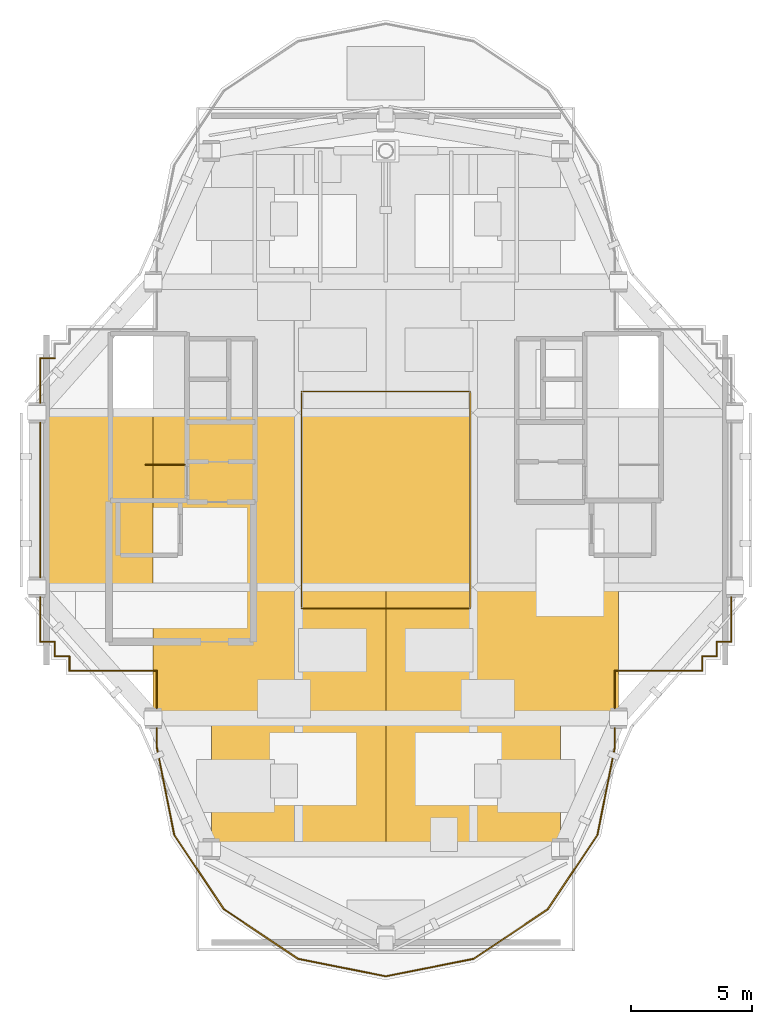
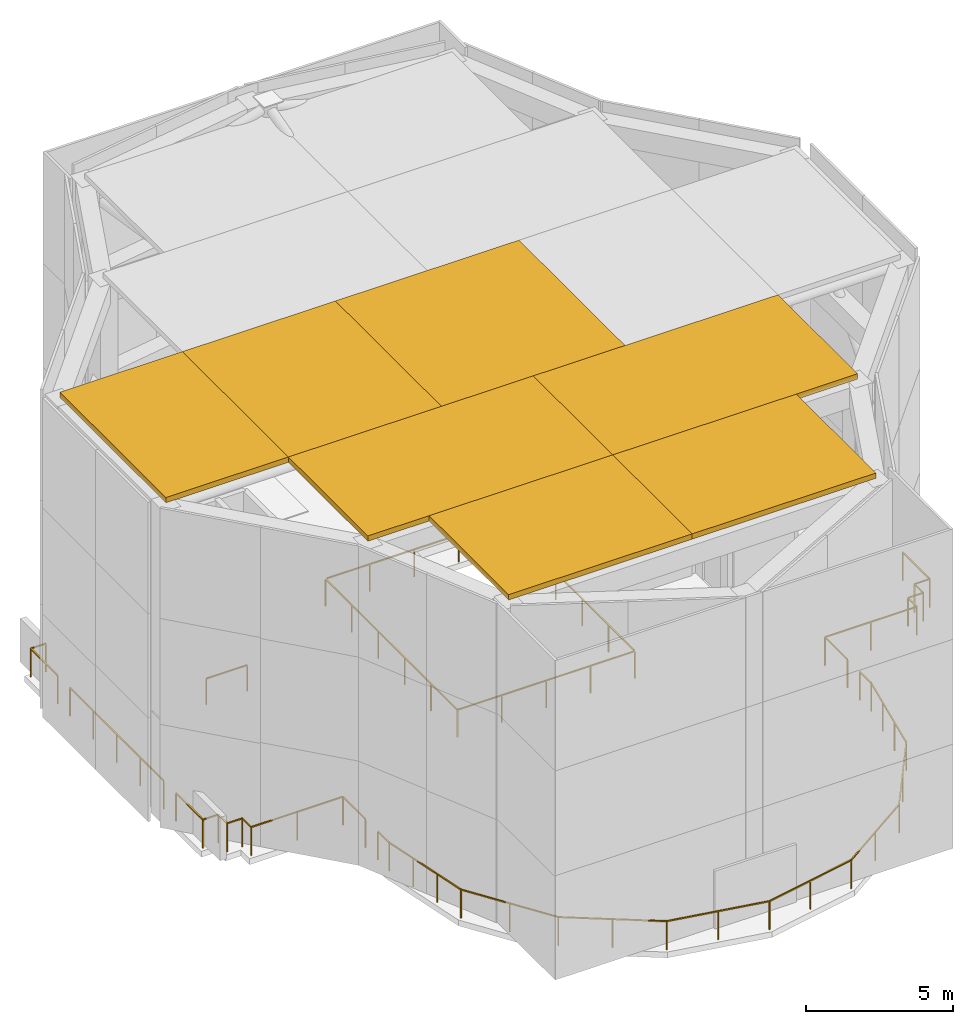
# One storey, part 6 of 8: 29 railings, 7 shading devices.
"""IFC4 building model written with IfcOpenShell, lengths in metres."""

from ifc_helpers import new_model, si_unit, direction, frame, origin, origin_2d, place, context, subcontext, project, spatial, polyline, rectangle, outline, extrude, material, layer, layer_set, type_object, element, save


model = new_model("IFC4")

# Units and contexts
model_context = context("Model", 3, precision=1e-05, world=origin(), true_north=direction((0.0, 1.0)))
body_context = subcontext(model_context, "Body", "Model", "MODEL_VIEW")
ifc_project = project(units=[si_unit("LENGTHUNIT", "METRE"), si_unit("AREAUNIT", "SQUARE_METRE"), si_unit("VOLUMEUNIT", "CUBIC_METRE"), si_unit("PLANEANGLEUNIT", "RADIAN"), si_unit("MASSUNIT", "GRAM", prefix="KILO")], contexts=[model_context])

# Site, building, storey
site_placement = place(None, origin())
site = spatial("IfcSite", under=ifc_project, at=site_placement, CompositionType="ELEMENT")
building_placement = place(site_placement, origin())
building = spatial("IfcBuilding", under=site, at=building_placement, Name="Keilestroom Media Tower", CompositionType="ELEMENT")
storey_placement = place(building_placement, frame((0.0, 0.0, 271.60009765625)))
storey = spatial("IfcBuildingStorey", under=building, at=storey_placement, Name="Roof", CompositionType="ELEMENT", Elevation=271.60009765625)

# Railing
ifc_material_1 = material(Name="Laminated Safety Glass & Bronze Steel", Category="steel")
railing_type_1 = type_object("IfcRailingType", Name="Atrium-Void-Guard-Balustrade-1150", PredefinedType="BALUSTRADE", material=ifc_material_1)
railing_1_placement = place(storey_placement, frame((-3.47998046875, -4.47998046875, 0.0)))
element("IfcRailing", 1, at=railing_1_placement, inside=storey, type_object=railing_type_1, Name="Roof Central Atrium Void Balustrade", PredefinedType="BALUSTRADE", context=body_context, shape_type="SweptSolid", body=[
    extrude(rectangle(XDim=0.048095703125, YDim=0.048095703125, at=origin_2d()), frame((0.0, 0.0, 1.1259765625), z_axis=(1.0, 0.0, 0.0), x_axis=(0.0, 1.0, 0.0)), (0.0, 0.0, 1.0), 6.911865234375),
    extrude(rectangle(XDim=0.048095703125, YDim=0.048095703125, at=origin_2d()), frame((6.9599609375, 0.048095703125, 1.1259765625), z_axis=(0.0, 1.0, 0.0), x_axis=(-1.0, 0.0, 0.0)), (0.0, 0.0, 1.0), 8.86376953125),
    extrude(rectangle(XDim=0.048095703125, YDim=0.048095703125, at=origin_2d()), frame((6.911865234375, 8.9599609375, 1.1259765625), z_axis=(-1.0, 0.0, 0.0), x_axis=(0.0, -1.0, 0.0)), (0.0, 0.0, 1.0), 6.86376953125),
    extrude(rectangle(XDim=0.048095703125, YDim=0.048095703125, at=origin_2d()), frame((0.0, 8.911865234375, 1.1259765625), z_axis=(0.0, -1.0, 0.0), x_axis=(1.0, 0.0, 0.0)), (0.0, 0.0, 1.0), 8.86376953125),
    extrude(rectangle(XDim=0.0419921875, YDim=0.0419921875, at=origin_2d()), origin(), (0.0, 0.0, 1.0), 1.09375),
    extrude(rectangle(XDim=0.0419921875, YDim=0.0419921875, at=origin_2d()), frame((1.739990234375, 0.0, 0.0)), (0.0, 0.0, 1.0), 1.09375),
    extrude(rectangle(XDim=0.0419921875, YDim=0.0419921875, at=origin_2d()), frame((3.47998046875, 0.0, 0.0)), (0.0, 0.0, 1.0), 1.09375),
    extrude(rectangle(XDim=0.0419921875, YDim=0.0419921875, at=origin_2d()), frame((5.219970703125, 0.0, 0.0)), (0.0, 0.0, 1.0), 1.09375),
    extrude(rectangle(XDim=0.0419921875, YDim=0.0419921875, at=origin_2d()), frame((6.9599609375, 0.0, 0.0)), (0.0, 0.0, 1.0), 1.09375),
    extrude(rectangle(XDim=0.0419921875, YDim=0.0419921875, at=origin_2d()), frame((6.9599609375, 1.7919921875, 0.0)), (0.0, 0.0, 1.0), 1.09375),
    extrude(rectangle(XDim=0.0419921875, YDim=0.0419921875, at=origin_2d()), frame((6.9599609375, 3.583984375, 0.0)), (0.0, 0.0, 1.0), 1.09375),
    extrude(rectangle(XDim=0.0419921875, YDim=0.0419921875, at=origin_2d()), frame((6.9599609375, 5.3759765625, 0.0)), (0.0, 0.0, 1.0), 1.09375),
    extrude(rectangle(XDim=0.0419921875, YDim=0.0419921875, at=origin_2d()), frame((6.9599609375, 7.16796875, 0.0)), (0.0, 0.0, 1.0), 1.09375),
    extrude(rectangle(XDim=0.0419921875, YDim=0.0419921875, at=origin_2d()), frame((6.9599609375, 8.9599609375, 0.0)), (0.0, 0.0, 1.0), 1.09375),
    extrude(rectangle(XDim=0.0419921875, YDim=0.0419921875, at=origin_2d()), frame((5.219970703125, 8.9599609375, 0.0)), (0.0, 0.0, 1.0), 1.09375),
    extrude(rectangle(XDim=0.0419921875, YDim=0.0419921875, at=origin_2d()), frame((3.47998046875, 8.9599609375, 0.0)), (0.0, 0.0, 1.0), 1.09375),
    extrude(rectangle(XDim=0.0419921875, YDim=0.0419921875, at=origin_2d()), frame((1.739990234375, 8.9599609375, 0.0)), (0.0, 0.0, 1.0), 1.09375),
    extrude(rectangle(XDim=0.0419921875, YDim=0.0419921875, at=origin_2d()), frame((0.0, 8.9599609375, 0.0)), (0.0, 0.0, 1.0), 1.09375),
    extrude(rectangle(XDim=0.0419921875, YDim=0.0419921875, at=origin_2d()), frame((0.0, 7.16796875, 0.0)), (0.0, 0.0, 1.0), 1.09375),
    extrude(rectangle(XDim=0.0419921875, YDim=0.0419921875, at=origin_2d()), frame((0.0, 5.3759765625, 0.0)), (0.0, 0.0, 1.0), 1.09375),
    extrude(rectangle(XDim=0.0419921875, YDim=0.0419921875, at=origin_2d()), frame((0.0, 3.583984375, 0.0)), (0.0, 0.0, 1.0), 1.09375),
    extrude(rectangle(XDim=0.0419921875, YDim=0.0419921875, at=origin_2d()), frame((0.0, 1.7919921875, 0.0)), (0.0, 0.0, 1.0), 1.09375),
])

# Shading devices
ifc_material_2 = material(Name="Bronze Anodised Aluminium", Category="aluminium")
ifc_layer = layer(ifc_material_2, 0.219970703125)
ifc_layer_set = layer_set([ifc_layer], Name="Bronze Anodised Aluminium")
shading_device_type = type_object("IfcShadingDeviceType", Name="Crown-Acoustic-Louvre-Cap-SHD-3", PredefinedType="USERDEFINED", material=ifc_layer_set)
shading_device_1_placement = place(storey_placement, frame((0.0, 0.0, 13.0)))
element("IfcShadingDevice", 2, at=shading_device_1_placement, inside=storey, type_object=shading_device_type, Name="Crown Acoustic Louvre Cap Grille CAP-SW", ObjectType="LOUVER", PredefinedType="USERDEFINED", context=body_context, shape_type="SweptSolid", body=[
    extrude(outline(polyline([(-7.199951171875, -14.39990234375), (0.0, -14.39990234375), (0.0, -9.0), (-7.199951171875, -9.0), (-7.199951171875, -14.39990234375)])), origin(), (0.0, 0.0, 1.0), 0.219970703125),
])
shading_device_2_placement = place(storey_placement, frame((0.0, 0.0, 13.0)))
element("IfcShadingDevice", 3, at=shading_device_2_placement, inside=storey, type_object=shading_device_type, Name="Crown Acoustic Louvre Cap Grille CAP-SE", ObjectType="LOUVER", PredefinedType="USERDEFINED", context=body_context, shape_type="SweptSolid", body=[
    extrude(outline(polyline([(0.0, -14.39990234375), (7.199951171875, -14.39990234375), (7.199951171875, -9.0), (0.0, -9.0), (0.0, -14.39990234375)])), origin(), (0.0, 0.0, 1.0), 0.219970703125),
])
shading_device_3_placement = place(storey_placement, frame((0.0, 0.0, 13.0)))
element("IfcShadingDevice", 4, at=shading_device_3_placement, inside=storey, type_object=shading_device_type, Name="Crown Acoustic Louvre Cap Grille CAP-W", ObjectType="LOUVER", PredefinedType="USERDEFINED", context=body_context, shape_type="SweptSolid", body=[
    extrude(outline(polyline([(-14.39990234375, -3.60009765625), (-9.60009765625, -3.60009765625), (-9.60009765625, 3.60009765625), (-14.39990234375, 3.60009765625), (-14.39990234375, -3.60009765625)])), origin(), (0.0, 0.0, 1.0), 0.219970703125),
])
shading_device_4_placement = place(storey_placement, frame((0.0, 0.0, 13.0)))
element("IfcShadingDevice", 5, at=shading_device_4_placement, inside=storey, type_object=shading_device_type, Name="Crown Acoustic Louvre Cap Grille WELL-SW", ObjectType="LOUVER", PredefinedType="USERDEFINED", context=body_context, shape_type="SweptSolid", body=[
    extrude(outline(polyline([(-9.60009765625, -9.0), (0.0, -9.0), (0.0, -3.60009765625), (-9.60009765625, -3.60009765625), (-9.60009765625, -9.0)])), origin(), (0.0, 0.0, 1.0), 0.219970703125),
])
shading_device_5_placement = place(storey_placement, frame((0.0, 0.0, 13.0)))
element("IfcShadingDevice", 6, at=shading_device_5_placement, inside=storey, type_object=shading_device_type, Name="Crown Acoustic Louvre Cap Grille WELL-SE", ObjectType="LOUVER", PredefinedType="USERDEFINED", context=body_context, shape_type="SweptSolid", body=[
    extrude(outline(polyline([(0.0, -9.0), (9.60009765625, -9.0), (9.60009765625, -3.60009765625), (0.0, -3.60009765625), (0.0, -9.0)])), origin(), (0.0, 0.0, 1.0), 0.219970703125),
])
shading_device_6_placement = place(storey_placement, frame((0.0, 0.0, 13.0)))
element("IfcShadingDevice", 7, at=shading_device_6_placement, inside=storey, type_object=shading_device_type, Name="Crown Acoustic Louvre Cap Grille WELL-CW", ObjectType="LOUVER", PredefinedType="USERDEFINED", context=body_context, shape_type="SweptSolid", body=[
    extrude(outline(polyline([(-9.60009765625, -3.60009765625), (-3.60009765625, -3.60009765625), (-3.60009765625, 3.60009765625), (-9.60009765625, 3.60009765625), (-9.60009765625, -3.60009765625)])), origin(), (0.0, 0.0, 1.0), 0.219970703125),
])
shading_device_7_placement = place(storey_placement, frame((0.0, 0.0, 13.0)))
element("IfcShadingDevice", 8, at=shading_device_7_placement, inside=storey, type_object=shading_device_type, Name="Crown Acoustic Louvre Cap Grille WELL-CC", ObjectType="LOUVER", PredefinedType="USERDEFINED", context=body_context, shape_type="SweptSolid", body=[
    extrude(outline(polyline([(-3.60009765625, -3.60009765625), (3.60009765625, -3.60009765625), (3.60009765625, 3.60009765625), (-3.60009765625, 3.60009765625), (-3.60009765625, -3.60009765625)])), origin(), (0.0, 0.0, 1.0), 0.219970703125),
])

# Railings
ifc_material_3 = material(Name="Painted Steel Balustrade", Category="steel")
railing_type_2 = type_object("IfcRailingType", Name="Stair-Well-And-Landing-Guard-1100", PredefinedType="GUARDRAIL", material=ifc_material_3)
railing_2_placement = place(storey_placement, frame((-8.300048828125, 1.449951171875, 0.0)))
element("IfcRailing", 9, at=railing_2_placement, inside=storey, type_object=railing_type_2, Name="Roof ST-1 top well guard 1", PredefinedType="GUARDRAIL", context=body_context, shape_type="SweptSolid", body=[
    extrude(rectangle(XDim=0.048095703125, YDim=0.048095703125, at=origin_2d()), frame((0.0, 0.0, 1.076171875), z_axis=(-1.0, 0.0, 0.0), x_axis=(0.0, -1.0, 0.0)), (0.0, 0.0, 1.0), 1.599853515625),
    extrude(rectangle(XDim=0.0419921875, YDim=0.0419921875, at=origin_2d()), origin(), (0.0, 0.0, 1.0), 1.0439453125),
    extrude(rectangle(XDim=0.0419921875, YDim=0.0419921875, at=origin_2d()), frame((-1.599853515625, 0.0, 0.0)), (0.0, 0.0, 1.0), 1.0439453125),
])
ifc_material_4 = material(Name="Laminated Safety Glass & Bronze Aluminium", Category="aluminium")
railing_type_3 = type_object("IfcRailingType", Name="Terrace-And-Atrium-Guard-Balustrade-GD-SKY", PredefinedType="BALUSTRADE", material=ifc_material_4)
railing_3_placement = place(storey_placement, frame((14.25, -5.85009765625, 0.0)))
element("IfcRailing", 10, at=railing_3_placement, inside=storey, type_object=railing_type_3, Name="Roof Perimeter Safety Balustrade 01", PredefinedType="BALUSTRADE", context=body_context, shape_type="SweptSolid", body=[
    extrude(rectangle(XDim=0.048095703125, YDim=0.048095703125, at=origin_2d()), frame((0.0, 0.0, 1.17578125), z_axis=(-1.0, 0.0, 0.0), x_axis=(0.0, -1.0, 0.0)), (0.0, 0.0, 1.0), 0.60009765625),
    extrude(rectangle(XDim=0.0419921875, YDim=0.0419921875, at=origin_2d()), origin(), (0.0, 0.0, 1.0), 1.143798828125),
    extrude(rectangle(XDim=0.0419921875, YDim=0.0419921875, at=origin_2d()), frame((-0.60009765625, 0.0, 0.0)), (0.0, 0.0, 1.0), 1.143798828125),
])
railing_4_placement = place(storey_placement, frame((13.64990234375, -5.85009765625, 0.0)))
element("IfcRailing", 11, at=railing_4_placement, inside=storey, type_object=railing_type_3, Name="Roof Perimeter Safety Balustrade 02", PredefinedType="BALUSTRADE", context=body_context, shape_type="SweptSolid", body=[
    extrude(rectangle(XDim=0.048095703125, YDim=0.048095703125, at=origin_2d()), frame((0.0, 0.0, 1.17578125), z_axis=(0.0, -1.0, 0.0), x_axis=(1.0, 0.0, 0.0)), (0.0, 0.0, 1.0), 0.599853515625),
    extrude(rectangle(XDim=0.0419921875, YDim=0.0419921875, at=origin_2d()), origin(), (0.0, 0.0, 1.0), 1.143798828125),
    extrude(rectangle(XDim=0.0419921875, YDim=0.0419921875, at=origin_2d()), frame((0.0, -0.599853515625, 0.0)), (0.0, 0.0, 1.0), 1.143798828125),
])
railing_5_placement = place(storey_placement, frame((13.64990234375, -6.449951171875, 0.0)))
element("IfcRailing", 12, at=railing_5_placement, inside=storey, type_object=railing_type_3, Name="Roof Perimeter Safety Balustrade 03", PredefinedType="BALUSTRADE", context=body_context, shape_type="SweptSolid", body=[
    extrude(rectangle(XDim=0.048095703125, YDim=0.048095703125, at=origin_2d()), frame((0.0, 0.0, 1.17578125), z_axis=(-1.0, 0.0, 0.0), x_axis=(0.0, -1.0, 0.0)), (0.0, 0.0, 1.0), 0.599853515625),
    extrude(rectangle(XDim=0.0419921875, YDim=0.0419921875, at=origin_2d()), origin(), (0.0, 0.0, 1.0), 1.143798828125),
    extrude(rectangle(XDim=0.0419921875, YDim=0.0419921875, at=origin_2d()), frame((-0.599853515625, 0.0, 0.0)), (0.0, 0.0, 1.0), 1.143798828125),
])
railing_6_placement = place(storey_placement, frame((13.050048828125, -6.449951171875, 0.0)))
element("IfcRailing", 13, at=railing_6_placement, inside=storey, type_object=railing_type_3, Name="Roof Perimeter Safety Balustrade 04", PredefinedType="BALUSTRADE", context=body_context, shape_type="SweptSolid", body=[
    extrude(rectangle(XDim=0.048095703125, YDim=0.048095703125, at=origin_2d()), frame((0.0, 0.0, 1.17578125), z_axis=(0.0, -1.0, 0.0), x_axis=(1.0, 0.0, 0.0)), (0.0, 0.0, 1.0), 0.60009765625),
    extrude(rectangle(XDim=0.0419921875, YDim=0.0419921875, at=origin_2d()), origin(), (0.0, 0.0, 1.0), 1.143798828125),
    extrude(rectangle(XDim=0.0419921875, YDim=0.0419921875, at=origin_2d()), frame((0.0, -0.60009765625, 0.0)), (0.0, 0.0, 1.0), 1.143798828125),
])
railing_7_placement = place(storey_placement, frame((13.050048828125, -7.050048828125, 0.0)))
element("IfcRailing", 14, at=railing_7_placement, inside=storey, type_object=railing_type_3, Name="Roof Perimeter Safety Balustrade 05", PredefinedType="BALUSTRADE", context=body_context, shape_type="SweptSolid", body=[
    extrude(rectangle(XDim=0.048095703125, YDim=0.048095703125, at=origin_2d()), frame((0.0, 0.0, 1.17578125), z_axis=(-1.0, 0.0, 0.0), x_axis=(0.0, -1.0, 0.0)), (0.0, 0.0, 1.0), 3.60009765625),
    extrude(rectangle(XDim=0.0419921875, YDim=0.0419921875, at=origin_2d()), origin(), (0.0, 0.0, 1.0), 1.143798828125),
    extrude(rectangle(XDim=0.0419921875, YDim=0.0419921875, at=origin_2d()), frame((-1.800048828125, 0.0, 0.0)), (0.0, 0.0, 1.0), 1.143798828125),
    extrude(rectangle(XDim=0.0419921875, YDim=0.0419921875, at=origin_2d()), frame((-3.60009765625, 0.0, 0.0)), (0.0, 0.0, 1.0), 1.143798828125),
])
railing_8_placement = place(storey_placement, frame((9.449951171875, -7.050048828125, 0.0)))
element("IfcRailing", 15, at=railing_8_placement, inside=storey, type_object=railing_type_3, Name="Roof Perimeter Safety Balustrade 06", PredefinedType="BALUSTRADE", context=body_context, shape_type="SweptSolid", body=[
    extrude(rectangle(XDim=0.048095703125, YDim=0.048095703125, at=origin_2d()), frame((0.0, 0.0, 1.17578125), z_axis=(0.0, -1.0, 0.0), x_axis=(1.0, 0.0, 0.0)), (0.0, 0.0, 1.0), 1.530029296875),
    extrude(rectangle(XDim=0.0419921875, YDim=0.0419921875, at=origin_2d()), origin(), (0.0, 0.0, 1.0), 1.143798828125),
    extrude(rectangle(XDim=0.0419921875, YDim=0.0419921875, at=origin_2d()), frame((0.0, -1.530029296875, 0.0)), (0.0, 0.0, 1.0), 1.143798828125),
])
railing_9_placement = place(storey_placement, frame((9.449951171875, -9.419921875, 0.0)))
element("IfcRailing", 16, at=railing_9_placement, inside=storey, type_object=railing_type_3, Name="Roof Perimeter Safety Balustrade 07", PredefinedType="BALUSTRADE", context=body_context, shape_type="SweptSolid", body=[
    extrude(rectangle(XDim=0.048095703125, YDim=0.048095703125, at=origin_2d()), frame((0.0, 0.0, 1.17578125), z_axis=(0.0, -1.0, 0.0), x_axis=(1.0, 0.0, 0.0)), (0.0, 0.0, 1.0), 0.765380859375),
    extrude(rectangle(XDim=0.0419921875, YDim=0.0419921875, at=origin_2d()), origin(), (0.0, 0.0, 1.0), 1.143798828125),
    extrude(rectangle(XDim=0.0419921875, YDim=0.0419921875, at=origin_2d()), frame((0.0, -0.765380859375, 0.0)), (0.0, 0.0, 1.0), 1.143798828125),
])
railing_10_placement = place(storey_placement, frame((9.449951171875, -10.185302734375, 0.0)))
element("IfcRailing", 17, at=railing_10_placement, inside=storey, type_object=railing_type_3, Name="Roof Perimeter Safety Balustrade 08", PredefinedType="BALUSTRADE", context=body_context, shape_type="SweptSolid", body=[
    extrude(rectangle(XDim=0.048095703125, YDim=0.048095703125, at=origin_2d()), frame((0.0, 0.0, 1.17578125), z_axis=(-0.195126549745, -0.980778073564, 0.0), x_axis=(0.980778073564, -0.195126549745, 0.0)), (0.0, 0.0, 1.0), 3.700927734375),
    extrude(rectangle(XDim=0.0419921875, YDim=0.0419921875, at=origin_2d()), origin(), (0.0, 0.0, 1.0), 1.143798828125),
    extrude(rectangle(XDim=0.0419921875, YDim=0.0419921875, at=origin_2d()), frame((-0.24072265625, -1.2099609375, 0.0)), (0.0, 0.0, 1.0), 1.143798828125),
    extrude(rectangle(XDim=0.0419921875, YDim=0.0419921875, at=origin_2d()), frame((-0.4814453125, -2.419921875, 0.0)), (0.0, 0.0, 1.0), 1.143798828125),
    extrude(rectangle(XDim=0.0419921875, YDim=0.0419921875, at=origin_2d()), frame((-0.72216796875, -3.6298828125, 0.0)), (0.0, 0.0, 1.0), 1.143798828125),
])
railing_11_placement = place(storey_placement, frame((8.727783203125, -13.815185546875, 0.0)))
element("IfcRailing", 18, at=railing_11_placement, inside=storey, type_object=railing_type_3, Name="Roof Perimeter Safety Balustrade 09", PredefinedType="BALUSTRADE", context=body_context, shape_type="SweptSolid", body=[
    extrude(rectangle(XDim=0.048095703125, YDim=0.048095703125, at=origin_2d()), frame((0.0, 0.0, 1.17578125), z_axis=(-0.55551003407, -0.831509832803, 0.0), x_axis=(0.831509832803, -0.55551003407, 0.0)), (0.0, 0.0, 1.0), 3.68603515625),
    extrude(rectangle(XDim=0.0419921875, YDim=0.0419921875, at=origin_2d()), origin(), (0.0, 0.0, 1.0), 1.143798828125),
    extrude(rectangle(XDim=0.0419921875, YDim=0.0419921875, at=origin_2d()), frame((-1.02392578125, -1.532470703125, 0.0)), (0.0, 0.0, 1.0), 1.143798828125),
    extrude(rectangle(XDim=0.0419921875, YDim=0.0419921875, at=origin_2d()), frame((-2.047607421875, -3.06494140625, 0.0)), (0.0, 0.0, 1.0), 1.143798828125),
])
railing_12_placement = place(storey_placement, frame((6.68017578125, -16.880126953125, 0.0)))
element("IfcRailing", 19, at=railing_12_placement, inside=storey, type_object=railing_type_3, Name="Roof Perimeter Safety Balustrade 10", PredefinedType="BALUSTRADE", context=body_context, shape_type="SweptSolid", body=[
    extrude(rectangle(XDim=0.048095703125, YDim=0.048095703125, at=origin_2d()), frame((0.0, 0.0, 1.17578125), z_axis=(-0.831479238083, -0.555555826751, 0.0), x_axis=(0.555555826751, -0.831479238083, 0.0)), (0.0, 0.0, 1.0), 3.68603515625),
    extrude(rectangle(XDim=0.0419921875, YDim=0.0419921875, at=origin_2d()), origin(), (0.0, 0.0, 1.0), 1.143798828125),
    extrude(rectangle(XDim=0.0419921875, YDim=0.0419921875, at=origin_2d()), frame((-1.532470703125, -1.02392578125, 0.0)), (0.0, 0.0, 1.0), 1.143798828125),
    extrude(rectangle(XDim=0.0419921875, YDim=0.0419921875, at=origin_2d()), frame((-3.06494140625, -2.0478515625, 0.0)), (0.0, 0.0, 1.0), 1.143798828125),
])
railing_13_placement = place(storey_placement, frame((3.615234375, -18.927978515625, 0.0)))
element("IfcRailing", 20, at=railing_13_placement, inside=storey, type_object=railing_type_3, Name="Roof Perimeter Safety Balustrade 11", PredefinedType="BALUSTRADE", context=body_context, shape_type="SweptSolid", body=[
    extrude(rectangle(XDim=0.048095703125, YDim=0.048095703125, at=origin_2d()), frame((0.0, 0.0, 1.17578125), z_axis=(-0.980778871524, -0.195122538865, 0.0), x_axis=(0.195122538865, -0.980778871524, 0.0)), (0.0, 0.0, 1.0), 3.68603515625),
    extrude(rectangle(XDim=0.0419921875, YDim=0.0419921875, at=origin_2d()), origin(), (0.0, 0.0, 1.0), 1.143798828125),
    extrude(rectangle(XDim=0.0419921875, YDim=0.0419921875, at=origin_2d()), frame((-1.8076171875, -0.359619140625, 0.0)), (0.0, 0.0, 1.0), 1.143798828125),
    extrude(rectangle(XDim=0.0419921875, YDim=0.0419921875, at=origin_2d()), frame((-3.615234375, -0.71923828125, 0.0)), (0.0, 0.0, 1.0), 1.143798828125),
])
railing_14_placement = place(storey_placement, frame((0.0, -19.647216796875, 0.0)))
element("IfcRailing", 21, at=railing_14_placement, inside=storey, type_object=railing_type_3, Name="Roof Perimeter Safety Balustrade 12", PredefinedType="BALUSTRADE", context=body_context, shape_type="SweptSolid", body=[
    extrude(rectangle(XDim=0.048095703125, YDim=0.048095703125, at=origin_2d()), frame((0.0, 0.0, 1.17578125), z_axis=(-0.980778871524, 0.195122538865, 0.0), x_axis=(-0.195122538865, -0.980778871524, 0.0)), (0.0, 0.0, 1.0), 3.68603515625),
    extrude(rectangle(XDim=0.0419921875, YDim=0.0419921875, at=origin_2d()), origin(), (0.0, 0.0, 1.0), 1.143798828125),
    extrude(rectangle(XDim=0.0419921875, YDim=0.0419921875, at=origin_2d()), frame((-1.8076171875, 0.359619140625, 0.0)), (0.0, 0.0, 1.0), 1.143798828125),
    extrude(rectangle(XDim=0.0419921875, YDim=0.0419921875, at=origin_2d()), frame((-3.615234375, 0.71923828125, 0.0)), (0.0, 0.0, 1.0), 1.143798828125),
])
railing_15_placement = place(storey_placement, frame((-3.615234375, -18.927978515625, 0.0)))
element("IfcRailing", 22, at=railing_15_placement, inside=storey, type_object=railing_type_3, Name="Roof Perimeter Safety Balustrade 13", PredefinedType="BALUSTRADE", context=body_context, shape_type="SweptSolid", body=[
    extrude(rectangle(XDim=0.048095703125, YDim=0.048095703125, at=origin_2d()), frame((0.0, 0.0, 1.17578125), z_axis=(-0.831479238083, 0.555555826751, 0.0), x_axis=(-0.555555826751, -0.831479238083, 0.0)), (0.0, 0.0, 1.0), 3.68603515625),
    extrude(rectangle(XDim=0.0419921875, YDim=0.0419921875, at=origin_2d()), origin(), (0.0, 0.0, 1.0), 1.143798828125),
    extrude(rectangle(XDim=0.0419921875, YDim=0.0419921875, at=origin_2d()), frame((-1.532470703125, 1.02392578125, 0.0)), (0.0, 0.0, 1.0), 1.143798828125),
    extrude(rectangle(XDim=0.0419921875, YDim=0.0419921875, at=origin_2d()), frame((-3.06494140625, 2.0478515625, 0.0)), (0.0, 0.0, 1.0), 1.143798828125),
])
railing_16_placement = place(storey_placement, frame((-6.68017578125, -16.880126953125, 0.0)))
element("IfcRailing", 23, at=railing_16_placement, inside=storey, type_object=railing_type_3, Name="Roof Perimeter Safety Balustrade 14", PredefinedType="BALUSTRADE", context=body_context, shape_type="SweptSolid", body=[
    extrude(rectangle(XDim=0.048095703125, YDim=0.048095703125, at=origin_2d()), frame((0.0, 0.0, 1.17578125), z_axis=(-0.55551003407, 0.831509832803, 0.0), x_axis=(-0.831509832803, -0.55551003407, 0.0)), (0.0, 0.0, 1.0), 3.68603515625),
    extrude(rectangle(XDim=0.0419921875, YDim=0.0419921875, at=origin_2d()), origin(), (0.0, 0.0, 1.0), 1.143798828125),
    extrude(rectangle(XDim=0.0419921875, YDim=0.0419921875, at=origin_2d()), frame((-1.02392578125, 1.532470703125, 0.0)), (0.0, 0.0, 1.0), 1.143798828125),
    extrude(rectangle(XDim=0.0419921875, YDim=0.0419921875, at=origin_2d()), frame((-2.047607421875, 3.06494140625, 0.0)), (0.0, 0.0, 1.0), 1.143798828125),
])
railing_17_placement = place(storey_placement, frame((-8.727783203125, -13.815185546875, 0.0)))
element("IfcRailing", 24, at=railing_17_placement, inside=storey, type_object=railing_type_3, Name="Roof Perimeter Safety Balustrade 15", PredefinedType="BALUSTRADE", context=body_context, shape_type="SweptSolid", body=[
    extrude(rectangle(XDim=0.048095703125, YDim=0.048095703125, at=origin_2d()), frame((0.0, 0.0, 1.17578125), z_axis=(-0.195126549745, 0.980778073564, 0.0), x_axis=(-0.980778073564, -0.195126549745, 0.0)), (0.0, 0.0, 1.0), 3.700927734375),
    extrude(rectangle(XDim=0.0419921875, YDim=0.0419921875, at=origin_2d()), origin(), (0.0, 0.0, 1.0), 1.143798828125),
    extrude(rectangle(XDim=0.0419921875, YDim=0.0419921875, at=origin_2d()), frame((-0.24072265625, 1.2099609375, 0.0)), (0.0, 0.0, 1.0), 1.143798828125),
    extrude(rectangle(XDim=0.0419921875, YDim=0.0419921875, at=origin_2d()), frame((-0.4814453125, 2.419921875, 0.0)), (0.0, 0.0, 1.0), 1.143798828125),
    extrude(rectangle(XDim=0.0419921875, YDim=0.0419921875, at=origin_2d()), frame((-0.72216796875, 3.6298828125, 0.0)), (0.0, 0.0, 1.0), 1.143798828125),
])
railing_18_placement = place(storey_placement, frame((-9.449951171875, -10.185302734375, 0.0)))
element("IfcRailing", 25, at=railing_18_placement, inside=storey, type_object=railing_type_3, Name="Roof Perimeter Safety Balustrade 16", PredefinedType="BALUSTRADE", context=body_context, shape_type="SweptSolid", body=[
    extrude(rectangle(XDim=0.048095703125, YDim=0.048095703125, at=origin_2d()), frame((0.0, 0.0, 1.17578125), z_axis=(0.0, 1.0, 0.0), x_axis=(-1.0, 0.0, 0.0)), (0.0, 0.0, 1.0), 0.765380859375),
    extrude(rectangle(XDim=0.0419921875, YDim=0.0419921875, at=origin_2d()), origin(), (0.0, 0.0, 1.0), 1.143798828125),
    extrude(rectangle(XDim=0.0419921875, YDim=0.0419921875, at=origin_2d()), frame((0.0, 0.765380859375, 0.0)), (0.0, 0.0, 1.0), 1.143798828125),
])
railing_19_placement = place(storey_placement, frame((-9.449951171875, -8.580078125, 0.0)))
element("IfcRailing", 26, at=railing_19_placement, inside=storey, type_object=railing_type_3, Name="Roof Perimeter Safety Balustrade 17", PredefinedType="BALUSTRADE", context=body_context, shape_type="SweptSolid", body=[
    extrude(rectangle(XDim=0.048095703125, YDim=0.048095703125, at=origin_2d()), frame((0.0, 0.0, 1.17578125), z_axis=(0.0, 1.0, 0.0), x_axis=(-1.0, 0.0, 0.0)), (0.0, 0.0, 1.0), 1.530029296875),
    extrude(rectangle(XDim=0.0419921875, YDim=0.0419921875, at=origin_2d()), origin(), (0.0, 0.0, 1.0), 1.143798828125),
    extrude(rectangle(XDim=0.0419921875, YDim=0.0419921875, at=origin_2d()), frame((0.0, 1.530029296875, 0.0)), (0.0, 0.0, 1.0), 1.143798828125),
])
railing_20_placement = place(storey_placement, frame((-9.449951171875, -7.050048828125, 0.0)))
element("IfcRailing", 27, at=railing_20_placement, inside=storey, type_object=railing_type_3, Name="Roof Perimeter Safety Balustrade 18", PredefinedType="BALUSTRADE", context=body_context, shape_type="SweptSolid", body=[
    extrude(rectangle(XDim=0.048095703125, YDim=0.048095703125, at=origin_2d()), frame((0.0, 0.0, 1.17578125), z_axis=(-1.0, 0.0, 0.0), x_axis=(0.0, -1.0, 0.0)), (0.0, 0.0, 1.0), 3.60009765625),
    extrude(rectangle(XDim=0.0419921875, YDim=0.0419921875, at=origin_2d()), origin(), (0.0, 0.0, 1.0), 1.143798828125),
    extrude(rectangle(XDim=0.0419921875, YDim=0.0419921875, at=origin_2d()), frame((-1.800048828125, 0.0, 0.0)), (0.0, 0.0, 1.0), 1.143798828125),
    extrude(rectangle(XDim=0.0419921875, YDim=0.0419921875, at=origin_2d()), frame((-3.60009765625, 0.0, 0.0)), (0.0, 0.0, 1.0), 1.143798828125),
])
railing_21_placement = place(storey_placement, frame((-13.050048828125, -7.050048828125, 0.0)))
element("IfcRailing", 28, at=railing_21_placement, inside=storey, type_object=railing_type_3, Name="Roof Perimeter Safety Balustrade 19", PredefinedType="BALUSTRADE", context=body_context, shape_type="SweptSolid", body=[
    extrude(rectangle(XDim=0.048095703125, YDim=0.048095703125, at=origin_2d()), frame((0.0, 0.0, 1.17578125), z_axis=(0.0, 1.0, 0.0), x_axis=(-1.0, 0.0, 0.0)), (0.0, 0.0, 1.0), 0.60009765625),
    extrude(rectangle(XDim=0.0419921875, YDim=0.0419921875, at=origin_2d()), origin(), (0.0, 0.0, 1.0), 1.143798828125),
    extrude(rectangle(XDim=0.0419921875, YDim=0.0419921875, at=origin_2d()), frame((0.0, 0.60009765625, 0.0)), (0.0, 0.0, 1.0), 1.143798828125),
])
railing_22_placement = place(storey_placement, frame((-13.050048828125, -6.449951171875, 0.0)))
element("IfcRailing", 29, at=railing_22_placement, inside=storey, type_object=railing_type_3, Name="Roof Perimeter Safety Balustrade 20", PredefinedType="BALUSTRADE", context=body_context, shape_type="SweptSolid", body=[
    extrude(rectangle(XDim=0.048095703125, YDim=0.048095703125, at=origin_2d()), frame((0.0, 0.0, 1.17578125), z_axis=(-1.0, 0.0, 0.0), x_axis=(0.0, -1.0, 0.0)), (0.0, 0.0, 1.0), 0.599853515625),
    extrude(rectangle(XDim=0.0419921875, YDim=0.0419921875, at=origin_2d()), origin(), (0.0, 0.0, 1.0), 1.143798828125),
    extrude(rectangle(XDim=0.0419921875, YDim=0.0419921875, at=origin_2d()), frame((-0.599853515625, 0.0, 0.0)), (0.0, 0.0, 1.0), 1.143798828125),
])
railing_23_placement = place(storey_placement, frame((-13.64990234375, -6.449951171875, 0.0)))
element("IfcRailing", 30, at=railing_23_placement, inside=storey, type_object=railing_type_3, Name="Roof Perimeter Safety Balustrade 21", PredefinedType="BALUSTRADE", context=body_context, shape_type="SweptSolid", body=[
    extrude(rectangle(XDim=0.048095703125, YDim=0.048095703125, at=origin_2d()), frame((0.0, 0.0, 1.17578125), z_axis=(0.0, 1.0, 0.0), x_axis=(-1.0, 0.0, 0.0)), (0.0, 0.0, 1.0), 0.599853515625),
    extrude(rectangle(XDim=0.0419921875, YDim=0.0419921875, at=origin_2d()), origin(), (0.0, 0.0, 1.0), 1.143798828125),
    extrude(rectangle(XDim=0.0419921875, YDim=0.0419921875, at=origin_2d()), frame((0.0, 0.599853515625, 0.0)), (0.0, 0.0, 1.0), 1.143798828125),
])
railing_24_placement = place(storey_placement, frame((-13.64990234375, -5.85009765625, 0.0)))
element("IfcRailing", 31, at=railing_24_placement, inside=storey, type_object=railing_type_3, Name="Roof Perimeter Safety Balustrade 22", PredefinedType="BALUSTRADE", context=body_context, shape_type="SweptSolid", body=[
    extrude(rectangle(XDim=0.048095703125, YDim=0.048095703125, at=origin_2d()), frame((0.0, 0.0, 1.17578125), z_axis=(-1.0, 0.0, 0.0), x_axis=(0.0, -1.0, 0.0)), (0.0, 0.0, 1.0), 0.60009765625),
    extrude(rectangle(XDim=0.0419921875, YDim=0.0419921875, at=origin_2d()), origin(), (0.0, 0.0, 1.0), 1.143798828125),
    extrude(rectangle(XDim=0.0419921875, YDim=0.0419921875, at=origin_2d()), frame((-0.60009765625, 0.0, 0.0)), (0.0, 0.0, 1.0), 1.143798828125),
])
railing_25_placement = place(storey_placement, frame((-14.25, -5.85009765625, 0.0)))
element("IfcRailing", 32, at=railing_25_placement, inside=storey, type_object=railing_type_3, Name="Roof Perimeter Safety Balustrade 23", PredefinedType="BALUSTRADE", context=body_context, shape_type="SweptSolid", body=[
    extrude(rectangle(XDim=0.048095703125, YDim=0.048095703125, at=origin_2d()), frame((0.0, 0.0, 1.17578125), z_axis=(0.0, 1.0, 0.0), x_axis=(-1.0, 0.0, 0.0)), (0.0, 0.0, 1.0), 1.830078125),
    extrude(rectangle(XDim=0.0419921875, YDim=0.0419921875, at=origin_2d()), origin(), (0.0, 0.0, 1.0), 1.143798828125),
    extrude(rectangle(XDim=0.0419921875, YDim=0.0419921875, at=origin_2d()), frame((0.0, 1.830078125, 0.0)), (0.0, 0.0, 1.0), 1.143798828125),
])
railing_26_placement = place(storey_placement, frame((-14.25, -3.179931640625, 0.0)))
element("IfcRailing", 33, at=railing_26_placement, inside=storey, type_object=railing_type_3, Name="Roof Perimeter Safety Balustrade 24", PredefinedType="BALUSTRADE", context=body_context, shape_type="SweptSolid", body=[
    extrude(rectangle(XDim=0.048095703125, YDim=0.048095703125, at=origin_2d()), frame((0.0, 0.0, 1.17578125), z_axis=(0.0, 1.0, 0.0), x_axis=(-1.0, 0.0, 0.0)), (0.0, 0.0, 1.0), 6.35986328125),
    extrude(rectangle(XDim=0.0419921875, YDim=0.0419921875, at=origin_2d()), origin(), (0.0, 0.0, 1.0), 1.143798828125),
    extrude(rectangle(XDim=0.0419921875, YDim=0.0419921875, at=origin_2d()), frame((0.0, 1.58984375, 0.0)), (0.0, 0.0, 1.0), 1.143798828125),
    extrude(rectangle(XDim=0.0419921875, YDim=0.0419921875, at=origin_2d()), frame((0.0, 3.179931640625, 0.0)), (0.0, 0.0, 1.0), 1.143798828125),
    extrude(rectangle(XDim=0.0419921875, YDim=0.0419921875, at=origin_2d()), frame((0.0, 4.77001953125, 0.0)), (0.0, 0.0, 1.0), 1.143798828125),
    extrude(rectangle(XDim=0.0419921875, YDim=0.0419921875, at=origin_2d()), frame((0.0, 6.35986328125, 0.0)), (0.0, 0.0, 1.0), 1.143798828125),
])
railing_27_placement = place(storey_placement, frame((-14.25, 4.02001953125, 0.0)))
element("IfcRailing", 34, at=railing_27_placement, inside=storey, type_object=railing_type_3, Name="Roof Perimeter Safety Balustrade 25", PredefinedType="BALUSTRADE", context=body_context, shape_type="SweptSolid", body=[
    extrude(rectangle(XDim=0.048095703125, YDim=0.048095703125, at=origin_2d()), frame((0.0, 0.0, 1.17578125), z_axis=(0.0, 1.0, 0.0), x_axis=(-1.0, 0.0, 0.0)), (0.0, 0.0, 1.0), 1.830078125),
    extrude(rectangle(XDim=0.0419921875, YDim=0.0419921875, at=origin_2d()), origin(), (0.0, 0.0, 1.0), 1.143798828125),
    extrude(rectangle(XDim=0.0419921875, YDim=0.0419921875, at=origin_2d()), frame((0.0, 1.830078125, 0.0)), (0.0, 0.0, 1.0), 1.143798828125),
])
railing_28_placement = place(storey_placement, frame((-14.25, 5.85009765625, 0.0)))
element("IfcRailing", 35, at=railing_28_placement, inside=storey, type_object=railing_type_3, Name="Roof Perimeter Safety Balustrade 26", PredefinedType="BALUSTRADE", context=body_context, shape_type="SweptSolid", body=[
    extrude(rectangle(XDim=0.048095703125, YDim=0.048095703125, at=origin_2d()), frame((0.0, 0.0, 1.17578125), z_axis=(1.0, 0.0, 0.0), x_axis=(0.0, 1.0, 0.0)), (0.0, 0.0, 1.0), 0.60009765625),
    extrude(rectangle(XDim=0.0419921875, YDim=0.0419921875, at=origin_2d()), origin(), (0.0, 0.0, 1.0), 1.143798828125),
    extrude(rectangle(XDim=0.0419921875, YDim=0.0419921875, at=origin_2d()), frame((0.60009765625, 0.0, 0.0)), (0.0, 0.0, 1.0), 1.143798828125),
])
railing_29_placement = place(storey_placement, frame((14.25, -4.02001953125, 0.0)))
element("IfcRailing", 36, at=railing_29_placement, inside=storey, type_object=railing_type_3, Name="Roof Perimeter Safety Balustrade 50", PredefinedType="BALUSTRADE", context=body_context, shape_type="SweptSolid", body=[
    extrude(rectangle(XDim=0.048095703125, YDim=0.048095703125, at=origin_2d()), frame((0.0, 0.0, 1.17578125), z_axis=(0.0, -1.0, 0.0), x_axis=(1.0, 0.0, 0.0)), (0.0, 0.0, 1.0), 1.830078125),
    extrude(rectangle(XDim=0.0419921875, YDim=0.0419921875, at=origin_2d()), origin(), (0.0, 0.0, 1.0), 1.143798828125),
    extrude(rectangle(XDim=0.0419921875, YDim=0.0419921875, at=origin_2d()), frame((0.0, -1.830078125, 0.0)), (0.0, 0.0, 1.0), 1.143798828125),
])

save(model, "model.ifc")
